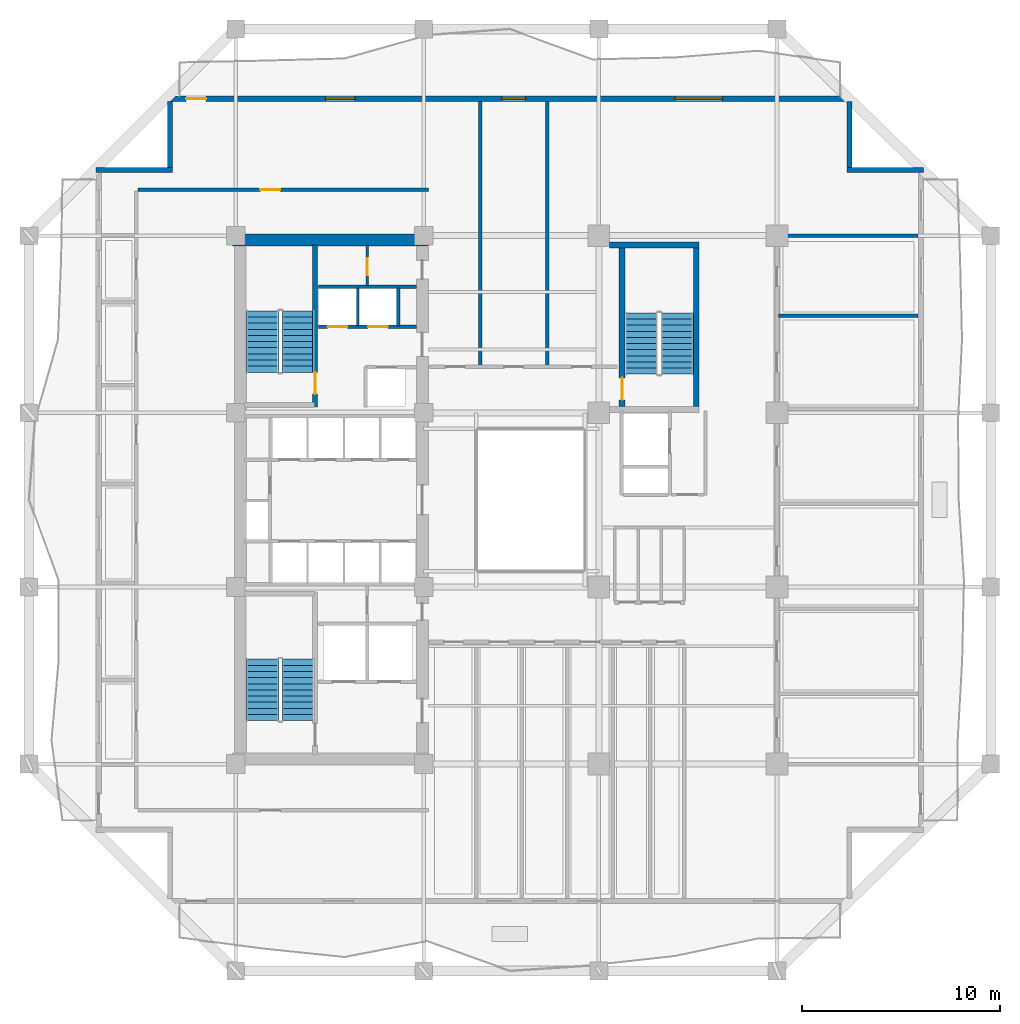
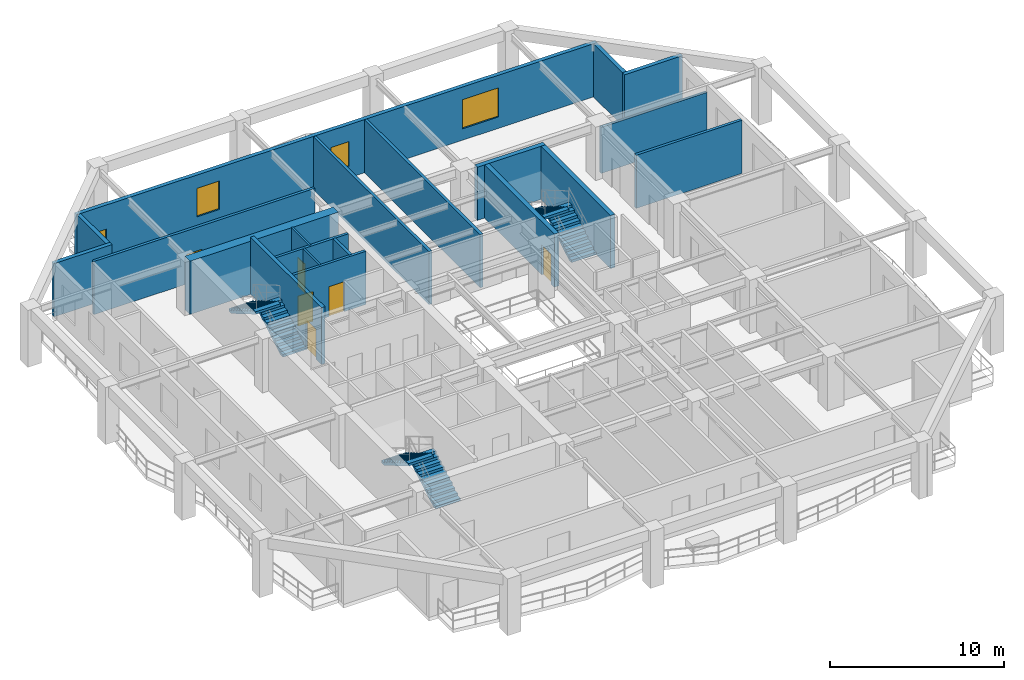
# One storey, part 6 of 11: 20 walls, 7 doors, 6 stair flights, 3 windows, 10 openings, 3 elements without a shape of their own.
"""IFC4 building model written with IfcOpenShell, lengths in metres."""

from ifc_helpers import new_model, si_unit, direction, frame, frame_2d, origin, place, context, subcontext, project, spatial, polyline, rectangle, outline, extrude, material, layer, layer_set, type_object, element, fill, aggregate, save


model = new_model("IFC4")

# Units and contexts
model_context = context("Model", 3, precision=1e-05, world=origin(), true_north=direction((0.0, 1.0)))
body_context = subcontext(model_context, "Body", "Model", "MODEL_VIEW")
ifc_project = project(units=[si_unit("LENGTHUNIT", "METRE"), si_unit("AREAUNIT", "SQUARE_METRE"), si_unit("VOLUMEUNIT", "CUBIC_METRE"), si_unit("PLANEANGLEUNIT", "RADIAN"), si_unit("MASSUNIT", "GRAM", prefix="KILO")], contexts=[model_context])

# Site, building, storey
site_placement = place(None, origin())
site = spatial("IfcSite", under=ifc_project, at=site_placement, CompositionType="ELEMENT")
building_placement = place(site_placement, origin())
building = spatial("IfcBuilding", under=site, at=building_placement, Name="Kundavana Baori Tower", CompositionType="ELEMENT")
storey_placement = place(building_placement, frame((0.0, 0.0, 82.0)))
storey = spatial("IfcBuildingStorey", under=building, at=storey_placement, Name="L19", CompositionType="ELEMENT", Elevation=82.0)

# Wall, opening, door
ifc_material_1 = material(Name="Concrete C50/60", Category="concrete")
ifc_layer_1 = layer(ifc_material_1, 0.39990234375, Name="WL-CORE-400")
ifc_layer_set_1 = layer_set([ifc_layer_1], Name="Concrete C50/60")
wall_type_1 = type_object("IfcWallType", Name="WL-CORE-400", PredefinedType="SHEAR", material=ifc_layer_set_1)
wall_1_placement = place(storey_placement, frame((19.4599609375, 33.300048828125, 0.0), z_axis=(0.0, 0.0, 1.0), x_axis=(0.0, 1.0, 0.0)))
wall_1 = element("IfcWall", 1, at=wall_1_placement, inside=storey, type_object=wall_type_1, Name="WL-L19-ST2-E", PredefinedType="SHEAR", context=body_context, shape_type="SweptSolid", body=[
    extrude(rectangle(XDim=8.179931640625, YDim=0.239990234375, at=frame_2d((4.08984375, 0.0))), origin(), (0.0, 0.0, 1.0), 4.0),
])
opening_1_placement = place(wall_1_placement, frame((0.64990234375, 0.0, 0.0)))
opening_1 = element("IfcOpeningElement", 2, at=opening_1_placement, cuts=wall_1, Name="Opening FD-110", PredefinedType="OPENING", context=body_context, shape_type="SweptSolid", body=[
    extrude(rectangle(XDim=1.10009765625, YDim=2.10009765625, at=frame_2d((0.550048828125, 1.050048828125))), frame((0.0, 0.1298828125, 0.0), z_axis=(0.0, -1.0, 0.0), x_axis=(1.0, 0.0, 0.0)), (0.0, 0.0, 1.0), 0.260009765625),
])
ifc_material_2 = material(Name="Galvanised Steel Fire-Rated Door Leaf", Category="steel")
door_type_1 = type_object("IfcDoorType", Name="DR-FD120-1100", OperationType="NOTDEFINED", PredefinedType="DOOR", material=ifc_material_2)
door_1_placement = place(opening_1_placement, origin())
door_1 = element("IfcDoor", 3, at=door_1_placement, inside=storey, type_object=door_type_1, Name="DR-L19-ST2", OperationType="SINGLE_SWING_RIGHT", OverallHeight=2.10009765625, OverallWidth=1.10009765625, PredefinedType="DOOR", context=body_context, shape_type="SweptSolid", body=[
    extrude(rectangle(XDim=1.10009765625, YDim=2.10009765625, at=frame_2d((0.550048828125, 1.050048828125))), frame((0.0, 0.02490234375, 0.0), z_axis=(0.0, -1.0, 0.0), x_axis=(1.0, 0.0, 0.0)), (0.0, 0.0, 1.0), 0.050048828125),
])
fill(opening_1, door_1)

# Walls
ifc_material_3 = material(Name="Concrete C60/75", Category="concrete")
ifc_layer_2 = layer(ifc_material_3, 0.60009765625, Name="WL-CORE-600")
ifc_layer_set_2 = layer_set([ifc_layer_2], Name="Concrete C60/75")
wall_type_2 = type_object("IfcWallType", Name="WL-CORE-600", PredefinedType="SHEAR", material=ifc_layer_set_2)
wall_2_placement = place(storey_placement, frame((15.300048828125, 41.739990234375, 0.0), z_axis=(0.0, 0.0, 1.0), x_axis=(1.0, 0.0, 0.0)))
element("IfcWall", 4, at=wall_2_placement, inside=storey, type_object=wall_type_2, Name="L19 Offset Core North Shear Wall", PredefinedType="SHEAR", context=body_context, shape_type="SweptSolid", body=[
    extrude(rectangle(XDim=9.8798828125, YDim=0.60009765625, at=frame_2d((4.93994140625, 0.0))), origin(), (0.0, 0.0, 1.0), 3.739990234375),
])
ifc_material_4 = material(Name="Kiln-Fired Terracotta Brick-Slip Masonry on Concrete C40/50", Category="masonry")
ifc_layer_3 = layer(ifc_material_4, 0.260009765625, Name="WL-EXT-BRK-260")
ifc_layer_set_3 = layer_set([ifc_layer_3], Name="Kiln-Fired Terracotta Brick-Slip Masonry on Concrete C40/50")
wall_type_3 = type_object("IfcWallType", Name="WL-EXT-BRK-260", PredefinedType="SOLIDWALL", material=ifc_layer_set_3)
wall_3_placement = place(storey_placement, frame((50.199951171875, 45.27001953125, 0.0), z_axis=(0.0, 0.0, 1.0), x_axis=(-1.0, 0.0, 0.0)))
element("IfcWall", 5, at=wall_3_placement, inside=storey, type_object=wall_type_3, Name="L19 Exterior Insulated Facade Wall 05", PredefinedType="SOLIDWALL", context=body_context, shape_type="SweptSolid", body=[
    extrude(rectangle(XDim=3.85986328125, YDim=0.260009765625, at=frame_2d((1.929931640625, 0.0))), origin(), (0.0, 0.0, 1.0), 3.739990234375),
])
wall_4_placement = place(storey_placement, frame((46.469970703125, 45.39990234375, 0.0), z_axis=(0.0, 0.0, 1.0), x_axis=(0.0, 1.0, 0.0)))
element("IfcWall", 6, at=wall_4_placement, inside=storey, type_object=wall_type_3, Name="L19 Exterior Insulated Facade Wall 06", PredefinedType="SOLIDWALL", context=body_context, shape_type="SweptSolid", body=[
    extrude(rectangle(XDim=3.340087890625, YDim=0.260009765625, at=frame_2d((1.669921875, 0.0))), origin(), (0.0, 0.0, 1.0), 3.739990234375),
])

# Wall, openings, door, windows
wall_5_placement = place(storey_placement, frame((46.60009765625, 48.8701171875, 0.0), z_axis=(0.0, 0.0, 1.0), x_axis=(-1.0, 0.0, 0.0)))
wall_5 = element("IfcWall", 7, at=wall_5_placement, inside=storey, type_object=wall_type_3, Name="L19 Exterior Insulated Facade Wall 07", PredefinedType="SOLIDWALL", context=body_context, shape_type="SweptSolid", body=[
    extrude(rectangle(XDim=34.60009765625, YDim=0.260009765625, at=frame_2d((17.300048828125, 0.0))), origin(), (0.0, 0.0, 1.0), 3.739990234375),
])
opening_2_placement = place(wall_5_placement, frame((32.64990234375, 0.0, 0.0)))
opening_2 = element("IfcOpeningElement", 8, at=opening_2_placement, cuts=wall_5, Name="Opening BD-1", PredefinedType="OPENING", context=body_context, shape_type="SweptSolid", body=[
    extrude(rectangle(XDim=1.0, YDim=2.050048828125, at=frame_2d((0.5, 1.02490234375))), frame((0.0, 0.14013671875, 0.0), z_axis=(0.0, -1.0, 0.0), x_axis=(1.0, 0.0, 0.0)), (0.0, 0.0, 1.0), 0.280029296875),
])
opening_3_placement = place(wall_5_placement, frame((25.1201171875, 0.0, 0.800048828125)))
opening_3 = element("IfcOpeningElement", 9, at=opening_3_placement, cuts=wall_5, Name="Opening W-02", PredefinedType="OPENING", context=body_context, shape_type="SweptSolid", body=[
    extrude(rectangle(XDim=1.5, YDim=2.0, at=frame_2d((0.75, 1.0))), frame((0.0, 0.14013671875, 0.0), z_axis=(0.0, -1.0, 0.0), x_axis=(1.0, 0.0, 0.0)), (0.0, 0.0, 1.0), 0.280029296875),
])
opening_4_placement = place(wall_5_placement, frame((16.5, 0.0, 0.800048828125)))
opening_4 = element("IfcOpeningElement", 10, at=opening_4_placement, cuts=wall_5, Name="Opening W-03", PredefinedType="OPENING", context=body_context, shape_type="SweptSolid", body=[
    extrude(rectangle(XDim=1.199951171875, YDim=1.75, at=frame_2d((0.60009765625, 0.875))), frame((0.0, 0.14013671875, 0.0), z_axis=(0.0, -1.0, 0.0), x_axis=(1.0, 0.0, 0.0)), (0.0, 0.0, 1.0), 0.280029296875),
])
opening_5_placement = place(wall_5_placement, frame((6.554931640625, 0.0, 0.800048828125)))
opening_5 = element("IfcOpeningElement", 11, at=opening_5_placement, cuts=wall_5, Name="Opening W-04", PredefinedType="OPENING", context=body_context, shape_type="SweptSolid", body=[
    extrude(rectangle(XDim=2.39990234375, YDim=2.050048828125, at=frame_2d((1.199951171875, 1.02490234375))), frame((0.0, 0.14013671875, 0.0), z_axis=(0.0, -1.0, 0.0), x_axis=(1.0, 0.0, 0.0)), (0.0, 0.0, 1.0), 0.280029296875),
])
ifc_material_5 = material(Name="Architectural Patinated Bronze Metalwork")
door_type_2 = type_object("IfcDoorType", Name="DR-EXT-LOG-1000", OperationType="NOTDEFINED", PredefinedType="DOOR", material=ifc_material_5)
door_2_placement = place(opening_2_placement, frame((1.0, 0.0, 0.0), z_axis=(0.0, 0.0, 1.0), x_axis=(-1.0, 0.0, 0.0)))
door_2 = element("IfcDoor", 12, at=door_2_placement, inside=storey, type_object=door_type_2, Name="L19 Loggia Balcony Access Door N", OperationType="SINGLE_SWING_LEFT", OverallHeight=2.050048828125, OverallWidth=1.0, PredefinedType="DOOR", context=body_context, shape_type="SweptSolid", body=[
    extrude(rectangle(XDim=1.0, YDim=2.050048828125, at=frame_2d((0.5, 1.02490234375))), frame((0.0, 0.02490234375, 0.0), z_axis=(0.0, -1.0, 0.0), x_axis=(1.0, 0.0, 0.0)), (0.0, 0.0, 1.0), 0.050048828125),
])
fill(opening_2, door_2)
ifc_material_6 = material(Name="Double-Glazed Solar-Control Low-E Insulated Glass", Category="glass")
window_type_1 = type_object("IfcWindowType", Name="WIN-LOG-1200x1750", PartitioningType="SINGLE_PANEL", PredefinedType="WINDOW", material=ifc_material_6)
window_1_placement = place(opening_4_placement, origin())
window_1 = element("IfcWindow", 13, at=window_1_placement, inside=storey, type_object=window_type_1, Name="L19 Recessed Loggia Window N-2", OverallHeight=1.75, OverallWidth=1.199951171875, PartitioningType="SINGLE_PANEL", PredefinedType="WINDOW", context=body_context, shape_type="SweptSolid", body=[
    extrude(rectangle(XDim=1.199951171875, YDim=1.75, at=frame_2d((0.60009765625, 0.875))), frame((0.0, 0.030029296875, 0.0), z_axis=(0.0, -1.0, 0.0), x_axis=(1.0, 0.0, 0.0)), (0.0, 0.0, 1.0), 0.06005859375),
])
fill(opening_4, window_1)
ifc_material_7 = material(Name="Double-Glazed Solar-Control Low-E Insulated Glass", Category="glass")
window_type_2 = type_object("IfcWindowType", Name="WIN-LOG-1500x2000", PartitioningType="SINGLE_PANEL", PredefinedType="WINDOW", material=ifc_material_7)
window_2_placement = place(opening_3_placement, origin())
window_2 = element("IfcWindow", 14, at=window_2_placement, inside=storey, type_object=window_type_2, Name="L19 Recessed Loggia Window N-1", OverallHeight=2.0, OverallWidth=1.5, PartitioningType="SINGLE_PANEL", PredefinedType="WINDOW", context=body_context, shape_type="SweptSolid", body=[
    extrude(rectangle(XDim=1.5, YDim=2.0, at=frame_2d((0.75, 1.0))), frame((0.0, 0.030029296875, 0.0), z_axis=(0.0, -1.0, 0.0), x_axis=(1.0, 0.0, 0.0)), (0.0, 0.0, 1.0), 0.06005859375),
])
fill(opening_3, window_2)
ifc_material_8 = material(Name="Double-Glazed Solar-Control Low-E Insulated Glass", Category="glass")
window_type_3 = type_object("IfcWindowType", Name="WIN-LOG-2400x2050", PartitioningType="SINGLE_PANEL", PredefinedType="WINDOW", material=ifc_material_8)
window_3_placement = place(opening_5_placement, origin())
window_3 = element("IfcWindow", 15, at=window_3_placement, inside=storey, type_object=window_type_3, Name="L19 Recessed Loggia Window N-3", OverallHeight=2.050048828125, OverallWidth=2.39990234375, PartitioningType="SINGLE_PANEL", PredefinedType="WINDOW", context=body_context, shape_type="SweptSolid", body=[
    extrude(rectangle(XDim=2.39990234375, YDim=2.050048828125, at=frame_2d((1.199951171875, 1.02490234375))), frame((0.0, 0.030029296875, 0.0), z_axis=(0.0, -1.0, 0.0), x_axis=(1.0, 0.0, 0.0)), (0.0, 0.0, 1.0), 0.06005859375),
])
fill(opening_5, window_3)

# Walls
wall_6_placement = place(storey_placement, frame((12.1298828125, 48.739990234375, 0.0), z_axis=(0.0, 0.0, 1.0), x_axis=(0.0, -1.0, 0.0)))
element("IfcWall", 16, at=wall_6_placement, inside=storey, type_object=wall_type_3, Name="L19 Exterior Insulated Facade Wall 08", PredefinedType="SOLIDWALL", context=body_context, shape_type="SweptSolid", body=[
    extrude(rectangle(XDim=3.340087890625, YDim=0.260009765625, at=frame_2d((1.669921875, 0.0))), origin(), (0.0, 0.0, 1.0), 3.739990234375),
])
wall_7_placement = place(storey_placement, frame((12.260009765625, 45.27001953125, 0.0), z_axis=(0.0, 0.0, 1.0), x_axis=(-1.0, 0.0, 0.0)))
element("IfcWall", 17, at=wall_7_placement, inside=storey, type_object=wall_type_3, Name="L19 Exterior Insulated Facade Wall 09", PredefinedType="SOLIDWALL", context=body_context, shape_type="SweptSolid", body=[
    extrude(rectangle(XDim=3.860107421875, YDim=0.260009765625, at=frame_2d((1.93017578125, 0.0))), origin(), (0.0, 0.0, 1.0), 3.739990234375),
])
ifc_material_9 = material(Name="Acoustic Gypsum Plasterboard on Galvanised Steel Studs", Category="steel")
ifc_layer_4 = layer(ifc_material_9, 0.1201171875, Name="WL-PART-120")
ifc_layer_set_4 = layer_set([ifc_layer_4], Name="Acoustic Gypsum Plasterboard on Galvanised Steel Studs")
wall_type_4 = type_object("IfcWallType", Name="WL-PART-120", PredefinedType="PARTITIONING", material=ifc_layer_set_4)
wall_8_placement = place(storey_placement, frame((21.6201171875, 37.39990234375, 0.0), z_axis=(0.0, 0.0, 1.0), x_axis=(0.0, 1.0, 0.0)))
element("IfcWall", 18, at=wall_8_placement, inside=storey, type_object=wall_type_4, Name="WL-L19-HR-DIV1", PredefinedType="PARTITIONING", context=body_context, shape_type="SweptSolid", body=[
    extrude(rectangle(XDim=1.900146484375, YDim=0.1201171875, at=frame_2d((0.9501953125, 0.0))), origin(), (0.0, 0.0, 1.0), 3.739990234375),
])

# Wall, opening, door
wall_9_placement = place(storey_placement, frame((22.10009765625, 39.39990234375, 0.0), z_axis=(0.0, 0.0, 1.0), x_axis=(0.0, 1.0, 0.0)))
wall_9 = element("IfcWall", 19, at=wall_9_placement, inside=storey, type_object=wall_type_4, Name="WL-L19-CSRV-D1", PredefinedType="PARTITIONING", context=body_context, shape_type="SweptSolid", body=[
    extrude(rectangle(XDim=2.080078125, YDim=0.1201171875, at=frame_2d((1.0400390625, 0.0))), origin(), (0.0, 0.0, 1.0), 3.739990234375),
])
opening_6_placement = place(wall_9_placement, frame((0.550048828125, 0.0, 0.0)))
opening_6 = element("IfcOpeningElement", 20, at=opening_6_placement, cuts=wall_9, Name="Opening FD-085", PredefinedType="OPENING", context=body_context, shape_type="SweptSolid", body=[
    extrude(rectangle(XDim=0.85009765625, YDim=2.06005859375, at=frame_2d((0.425048828125, 1.030029296875))), frame((0.0, 0.070068359375, 0.0), z_axis=(0.0, -1.0, 0.0), x_axis=(1.0, 0.0, 0.0)), (0.0, 0.0, 1.0), 0.14013671875),
])
ifc_material_10 = material(Name="Galvanised Steel Fire-Rated Door Leaf", Category="steel")
door_type_3 = type_object("IfcDoorType", Name="DR-FD60-850", OperationType="NOTDEFINED", PredefinedType="DOOR", material=ifc_material_10)
door_3_placement = place(opening_6_placement, origin())
door_3 = element("IfcDoor", 21, at=door_3_placement, inside=storey, type_object=door_type_3, Name="DR-L19-CSRV1", OperationType="SINGLE_SWING_LEFT", OverallHeight=2.06005859375, OverallWidth=0.85009765625, PredefinedType="DOOR", context=body_context, shape_type="SweptSolid", body=[
    extrude(rectangle(XDim=0.85009765625, YDim=2.06005859375, at=frame_2d((0.425048828125, 1.030029296875))), frame((0.0, 0.02490234375, 0.0), z_axis=(0.0, -1.0, 0.0), x_axis=(1.0, 0.0, 0.0)), (0.0, 0.0, 1.0), 0.050048828125),
])
fill(opening_6, door_3)

# Wall
ifc_material_11 = material(Name="Autoclaved Aerated Concrete Blockwork Masonry", Category="masonry")
ifc_layer_5 = layer(ifc_material_11, 0.18505859375, Name="WL-PART-180")
ifc_layer_set_5 = layer_set([ifc_layer_5], Name="Autoclaved Aerated Concrete Blockwork Masonry")
wall_type_5 = type_object("IfcWallType", Name="WL-PART-180", PredefinedType="SOLIDWALL", material=ifc_layer_set_5)
wall_10_placement = place(storey_placement, frame((42.8798828125, 41.949951171875, 0.0), z_axis=(0.0, 0.0, 1.0), x_axis=(1.0, 0.0, 0.0)))
element("IfcWall", 22, at=wall_10_placement, inside=storey, type_object=wall_type_5, Name="WL-L19-OFEN", PredefinedType="SOLIDWALL", context=body_context, shape_type="SweptSolid", body=[
    extrude(rectangle(XDim=7.0400390625, YDim=0.18505859375, at=frame_2d((3.52001953125, 0.0))), origin(), (0.0, 0.0, 1.0), 3.239990234375),
])

# Wall, opening, door
wall_11_placement = place(storey_placement, frame((10.5, 44.280029296875, 0.0), z_axis=(0.0, 0.0, 1.0), x_axis=(1.0, 0.0, 0.0)))
wall_11 = element("IfcWall", 23, at=wall_11_placement, inside=storey, type_object=wall_type_5, Name="WL-L19-ONC", PredefinedType="SOLIDWALL", context=body_context, shape_type="SweptSolid", body=[
    extrude(rectangle(XDim=14.699951171875, YDim=0.18505859375, at=frame_2d((7.35009765625, 0.0))), origin(), (0.0, 0.0, 1.0), 3.739990234375),
])
opening_7_placement = place(wall_11_placement, frame((6.199951171875, 0.0, 0.0)))
opening_7 = element("IfcOpeningElement", 24, at=opening_7_placement, cuts=wall_11, Name="Opening ID-100", PredefinedType="OPENING", context=body_context, shape_type="SweptSolid", body=[
    extrude(rectangle(XDim=1.0, YDim=2.080078125, at=frame_2d((0.5, 1.0400390625))), frame((0.0, 0.1025390625, 0.0), z_axis=(0.0, -1.0, 0.0), x_axis=(1.0, 0.0, 0.0)), (0.0, 0.0, 1.0), 0.205078125),
])
ifc_material_12 = material(Name="Engineered Teak Solid-Core Timber Veneer", Category="wood")
door_type_4 = type_object("IfcDoorType", Name="DR-INT-1000", OperationType="NOTDEFINED", PredefinedType="DOOR", material=ifc_material_12)
door_4_placement = place(opening_7_placement, origin())
door_4 = element("IfcDoor", 25, at=door_4_placement, inside=storey, type_object=door_type_4, Name="DR-L19-ONWC", OperationType="SINGLE_SWING_RIGHT", OverallHeight=2.080078125, OverallWidth=1.0, PredefinedType="DOOR", context=body_context, shape_type="SweptSolid", body=[
    extrude(rectangle(XDim=1.0, YDim=2.080078125, at=frame_2d((0.5, 1.0400390625))), frame((0.0, 0.02490234375, 0.0), z_axis=(0.0, -1.0, 0.0), x_axis=(1.0, 0.0, 0.0)), (0.0, 0.0, 1.0), 0.050048828125),
])
fill(opening_7, door_4)

# Walls
wall_12_placement = place(storey_placement, frame((42.8798828125, 37.89990234375, 0.0), z_axis=(0.0, 0.0, 1.0), x_axis=(1.0, 0.0, 0.0)))
element("IfcWall", 26, at=wall_12_placement, inside=storey, type_object=wall_type_5, Name="WL-L19-ED5", PredefinedType="SOLIDWALL", context=body_context, shape_type="SweptSolid", body=[
    extrude(rectangle(XDim=7.0400390625, YDim=0.18505859375, at=frame_2d((3.52001953125, 0.0))), origin(), (0.0, 0.0, 1.0), 3.739990234375),
])
for number, where, z_axis, x_axis, name in (
    (27, (27.800048828125, 35.39990234375, 0.0), (0.0, 0.0, 1.0), (0.0, 1.0, 0.0), "WL-L19-ND1"),
    (28, (31.199951171875, 35.39990234375, 0.0), (0.0, 0.0, 1.0), (0.0, 1.0, 0.0), "WL-L19-ND2"),
):
    element("IfcWall", number, at=place(storey_placement, frame(where, z_axis=z_axis, x_axis=x_axis)), inside=storey, type_object=wall_type_5, Name=name, PredefinedType="SOLIDWALL", context=body_context, shape_type="SweptSolid", body=[
        extrude(rectangle(XDim=13.320068359375, YDim=0.18505859375, at=frame_2d((6.66015625, 0.0))), origin(), (0.0, 0.0, 1.0), 3.739990234375),
    ])

# Wall, openings, doors
ifc_material_13 = material(Name="Autoclaved Aerated Concrete Blockwork Masonry", Category="masonry")
ifc_layer_6 = layer(ifc_material_13, 0.179931640625, Name="WL-SHAFT-180")
ifc_layer_set_6 = layer_set([ifc_layer_6], Name="Autoclaved Aerated Concrete Blockwork Masonry")
wall_type_6 = type_object("IfcWallType", Name="WL-SHAFT-180", PredefinedType="SOLIDWALL", material=ifc_layer_set_6)
wall_13_placement = place(storey_placement, frame((19.639892578125, 37.340087890625, 0.0), z_axis=(0.0, 0.0, 1.0), x_axis=(1.0, 0.0, 0.0)))
wall_13 = element("IfcWall", 29, at=wall_13_placement, inside=storey, type_object=wall_type_6, Name="WL-L19-HRLOB-N", PredefinedType="SOLIDWALL", context=body_context, shape_type="SweptSolid", body=[
    extrude(rectangle(XDim=4.940185546875, YDim=0.179931640625, at=frame_2d((2.47021484375, 0.0))), origin(), (0.0, 0.0, 1.0), 3.739990234375),
])
opening_8_placement = place(wall_13_placement, frame((0.449951171875, 0.0, 0.0)))
opening_8 = element("IfcOpeningElement", 30, at=opening_8_placement, cuts=wall_13, Name="Opening LD-100", PredefinedType="OPENING", context=body_context, shape_type="SweptSolid", body=[
    extrude(rectangle(XDim=1.0, YDim=2.10009765625, at=frame_2d((0.5, 1.050048828125))), frame((0.0, 0.10009765625, 0.0), z_axis=(0.0, -1.0, 0.0), x_axis=(1.0, 0.0, 0.0)), (0.0, 0.0, 1.0), 0.199951171875),
])
opening_9_placement = place(wall_13_placement, frame((2.5, 0.0, 0.0)))
opening_9 = element("IfcOpeningElement", 31, at=opening_9_placement, cuts=wall_13, Name="Opening LD-100", PredefinedType="OPENING", context=body_context, shape_type="SweptSolid", body=[
    extrude(rectangle(XDim=1.0, YDim=2.10009765625, at=frame_2d((0.5, 1.050048828125))), frame((0.0, 0.10009765625, 0.0), z_axis=(0.0, -1.0, 0.0), x_axis=(1.0, 0.0, 0.0)), (0.0, 0.0, 1.0), 0.199951171875),
])
ifc_material_14 = material(Name="Galvanised Steel Fire-Rated Door Leaf", Category="steel")
door_type_5 = type_object("IfcDoorType", Name="DR-SLIDE-LD1000", OperationType="NOTDEFINED", PredefinedType="DOOR", material=ifc_material_14)
door_5_placement = place(opening_8_placement, frame((1.0, 0.0, 0.0), z_axis=(0.0, 0.0, 1.0), x_axis=(-1.0, 0.0, 0.0)))
door_5 = element("IfcDoor", 32, at=door_5_placement, inside=storey, type_object=door_type_5, Name="DR-L19-LD-LP09", OperationType="DOUBLE_DOOR_SLIDING", OverallHeight=2.10009765625, OverallWidth=1.0, PredefinedType="DOOR", context=body_context, shape_type="SweptSolid", body=[
    extrude(rectangle(XDim=1.0, YDim=2.10009765625, at=frame_2d((0.5, 1.050048828125))), frame((0.0, 0.02490234375, 0.0), z_axis=(0.0, -1.0, 0.0), x_axis=(1.0, 0.0, 0.0)), (0.0, 0.0, 1.0), 0.050048828125),
])
fill(opening_8, door_5)
door_6_placement = place(opening_9_placement, frame((1.0, 0.0, 0.0), z_axis=(0.0, 0.0, 1.0), x_axis=(-1.0, 0.0, 0.0)))
door_6 = element("IfcDoor", 33, at=door_6_placement, inside=storey, type_object=door_type_5, Name="DR-L19-LD-LP10", OperationType="DOUBLE_DOOR_SLIDING", OverallHeight=2.10009765625, OverallWidth=1.0, PredefinedType="DOOR", context=body_context, shape_type="SweptSolid", body=[
    extrude(rectangle(XDim=1.0, YDim=2.10009765625, at=frame_2d((0.5, 1.050048828125))), frame((0.0, 0.02490234375, 0.0), z_axis=(0.0, -1.0, 0.0), x_axis=(1.0, 0.0, 0.0)), (0.0, 0.0, 1.0), 0.050048828125),
])
fill(opening_9, door_6)

# Walls
wall_14_placement = place(storey_placement, frame((19.639892578125, 39.360107421875, 0.0), z_axis=(0.0, 0.0, 1.0), x_axis=(1.0, 0.0, 0.0)))
element("IfcWall", 34, at=wall_14_placement, inside=storey, type_object=wall_type_6, Name="WL-L19-HRLOB-TOP", PredefinedType="SOLIDWALL", context=body_context, shape_type="SweptSolid", body=[
    extrude(rectangle(XDim=4.940185546875, YDim=0.179931640625, at=frame_2d((2.47021484375, 0.0))), origin(), (0.0, 0.0, 1.0), 3.739990234375),
])
wall_15_placement = place(storey_placement, frame((23.659912109375, 37.39990234375, 0.0), z_axis=(0.0, 0.0, 1.0), x_axis=(0.0, 1.0, 0.0)))
element("IfcWall", 35, at=wall_15_placement, inside=storey, type_object=wall_type_6, Name="WL-L19-HR-DIV2", PredefinedType="SOLIDWALL", context=body_context, shape_type="SweptSolid", body=[
    extrude(rectangle(XDim=1.900146484375, YDim=0.179931640625, at=frame_2d((0.9501953125, 0.0))), origin(), (0.0, 0.0, 1.0), 3.739990234375),
])
ifc_material_15 = material(Name="Concrete C50/60", Category="concrete")
ifc_layer_7 = layer(ifc_material_15, 0.300048828125, Name="WL-ST3-300")
ifc_layer_set_7 = layer_set([ifc_layer_7], Name="Concrete C50/60")
wall_type_7 = type_object("IfcWallType", Name="WL-ST3-300", PredefinedType="SHEAR", material=ifc_layer_set_7)
wall_16_placement = place(storey_placement, frame((34.35009765625, 41.489990234375, 0.0), z_axis=(0.0, 0.0, 1.0), x_axis=(1.0, 0.0, 0.0)))
element("IfcWall", 36, at=wall_16_placement, inside=storey, type_object=wall_type_7, Name="L19 Stair ST3 North Shear Wall", PredefinedType="SHEAR", context=body_context, shape_type="SweptSolid", body=[
    extrude(rectangle(XDim=4.52001953125, YDim=0.300048828125, at=frame_2d((2.260009765625, 0.0))), origin(), (0.0, 0.0, 1.0), 3.739990234375),
])

# Wall, opening, door
wall_17_placement = place(storey_placement, frame((34.97998046875, 33.31005859375, 0.0), z_axis=(0.0, 0.0, 1.0), x_axis=(0.0, 1.0, 0.0)))
wall_17 = element("IfcWall", 37, at=wall_17_placement, inside=storey, type_object=wall_type_7, Name="L19 Stair ST3 West Shear Wall", PredefinedType="SHEAR", context=body_context, shape_type="SweptSolid", body=[
    extrude(rectangle(XDim=8.030029296875, YDim=0.300048828125, at=frame_2d((4.01513671875, 0.0))), origin(), (0.0, 0.0, 1.0), 3.739990234375),
])
opening_10_placement = place(wall_17_placement, frame((0.35009765625, 0.0, 0.0)))
opening_10 = element("IfcOpeningElement", 38, at=opening_10_placement, cuts=wall_17, Name="Opening FD-110", PredefinedType="OPENING", context=body_context, shape_type="SweptSolid", body=[
    extrude(rectangle(XDim=1.10009765625, YDim=2.10009765625, at=frame_2d((0.550048828125, 1.050048828125))), frame((0.0, 0.16015625, 0.0), z_axis=(0.0, -1.0, 0.0), x_axis=(1.0, 0.0, 0.0)), (0.0, 0.0, 1.0), 0.320068359375),
])
door_7_placement = place(opening_10_placement, origin())
door_7 = element("IfcDoor", 39, at=door_7_placement, inside=storey, type_object=door_type_1, Name="DR-L19-ST3-W", OperationType="SINGLE_SWING_LEFT", OverallHeight=2.10009765625, OverallWidth=1.10009765625, PredefinedType="DOOR", context=body_context, shape_type="SweptSolid", body=[
    extrude(rectangle(XDim=1.10009765625, YDim=2.10009765625, at=frame_2d((0.550048828125, 1.050048828125))), frame((0.0, 0.02490234375, 0.0), z_axis=(0.0, -1.0, 0.0), x_axis=(1.0, 0.0, 0.0)), (0.0, 0.0, 1.0), 0.050048828125),
])
fill(opening_10, door_7)

# Wall
wall_18_placement = place(storey_placement, frame((38.719970703125, 33.31005859375, 0.0), z_axis=(0.0, 0.0, 1.0), x_axis=(0.0, 1.0, 0.0)))
element("IfcWall", 40, at=wall_18_placement, inside=storey, type_object=wall_type_7, Name="L19 Stair ST3 East Shear Wall", PredefinedType="SHEAR", context=body_context, shape_type="SweptSolid", body=[
    extrude(rectangle(XDim=8.030029296875, YDim=0.300048828125, at=frame_2d((4.01513671875, 0.0))), origin(), (0.0, 0.0, 1.0), 3.739990234375),
])

# Stair, stair flights
ifc_material_16 = material(Name="Concrete C40/50", Category="concrete")
stair_type = type_object("IfcStairType", Name="STR-DOG-1650", PredefinedType="HALF_TURN_STAIR", material=ifc_material_16)
stair_1_placement = place(storey_placement, origin())
stair_1 = element("IfcStair", 41, at=stair_1_placement, inside=storey, type_object=stair_type, Name="L19 Protected Exit Stair ST1", PredefinedType="HALF_TURN_STAIR")
ifc_material_17 = material(Name="Concrete C40/50", Category="concrete")
stair_flight_type = type_object("IfcStairFlightType", Name="SFL-RC-1650", PredefinedType="STRAIGHT", material=ifc_material_17)
stair_flight_1_placement = place(storey_placement, frame((18.614990234375, 17.449951171875, 0.0), z_axis=(0.0, 0.0, 1.0), x_axis=(0.0, 1.0, 0.0)))
stair_flight_1 = element("IfcStairFlight", 42, at=stair_flight_1_placement, type_object=stair_flight_type, Name="ST1 flight 1", NumberOfRisers=11, NumberOfTreads=10, PredefinedType="STRAIGHT", RiserHeight=0.181818182, TreadLength=0.31, context=body_context, shape_type="SweptSolid", body=[
    extrude(outline(polyline([(0.0, 0.0), (0.0, 0.181884765625), (0.31005859375, 0.181884765625), (0.31005859375, 0.363525390625), (0.6201171875, 0.363525390625), (0.6201171875, 0.54541015625), (0.929931640625, 0.54541015625), (0.929931640625, 0.727294921875), (1.239990234375, 0.727294921875), (1.239990234375, 0.9091796875), (1.550048828125, 0.9091796875), (1.550048828125, 1.0908203125), (1.860107421875, 1.0908203125), (1.860107421875, 1.272705078125), (2.169921875, 1.272705078125), (2.169921875, 1.45458984375), (2.47998046875, 1.45458984375), (2.47998046875, 1.636474609375), (2.7900390625, 1.636474609375), (2.7900390625, 1.818115234375), (3.10009765625, 1.818115234375), (3.10009765625, 2.0), (3.10009765625, 1.644287109375), (0.29638671875, 0.0), (0.0, 0.0)])), frame((0.0, 0.824951171875, 0.0), z_axis=(0.0, -1.0, 0.0), x_axis=(1.0, 0.0, 0.0)), (0.0, 0.0, 1.0), 1.64990234375),
])
stair_flight_2_placement = place(storey_placement, frame((16.804931640625, 20.550048828125, 2.0), z_axis=(0.0, 0.0, 1.0), x_axis=(0.0, -1.0, 0.0)))
stair_flight_2 = element("IfcStairFlight", 43, at=stair_flight_2_placement, type_object=stair_flight_type, Name="ST1 flight 2", NumberOfRisers=11, NumberOfTreads=10, PredefinedType="STRAIGHT", RiserHeight=0.181818182, TreadLength=0.31, context=body_context, shape_type="SweptSolid", body=[
    extrude(outline(polyline([(0.0, 0.0), (0.0, 0.181884765625), (0.31005859375, 0.181884765625), (0.31005859375, 0.363525390625), (0.6201171875, 0.363525390625), (0.6201171875, 0.54541015625), (0.929931640625, 0.54541015625), (0.929931640625, 0.727294921875), (1.239990234375, 0.727294921875), (1.239990234375, 0.9091796875), (1.550048828125, 0.9091796875), (1.550048828125, 1.0908203125), (1.860107421875, 1.0908203125), (1.860107421875, 1.272705078125), (2.169921875, 1.272705078125), (2.169921875, 1.45458984375), (2.47998046875, 1.45458984375), (2.47998046875, 1.636474609375), (2.7900390625, 1.636474609375), (2.7900390625, 1.818115234375), (3.10009765625, 1.818115234375), (3.10009765625, 2.0), (3.10009765625, 1.644287109375), (0.29638671875, 0.0), (0.0, 0.0)])), frame((0.0, 0.824951171875, 0.0), z_axis=(0.0, -1.0, 0.0), x_axis=(1.0, 0.0, 0.0)), (0.0, 0.0, 1.0), 1.64990234375),
])
aggregate(stair_1, [stair_flight_1, stair_flight_2])

stair_2_placement = place(storey_placement, origin())
stair_2 = element("IfcStair", 44, at=stair_2_placement, inside=storey, type_object=stair_type, Name="L19 Protected Exit Stair ST2", PredefinedType="HALF_TURN_STAIR")
stair_flight_3_placement = place(storey_placement, frame((18.614990234375, 35.050048828125, 0.0), z_axis=(0.0, 0.0, 1.0), x_axis=(0.0, 1.0, 0.0)))
stair_flight_3 = element("IfcStairFlight", 45, at=stair_flight_3_placement, type_object=stair_flight_type, Name="ST2 flight 1", NumberOfRisers=11, NumberOfTreads=10, PredefinedType="STRAIGHT", RiserHeight=0.181818182, TreadLength=0.31, context=body_context, shape_type="SweptSolid", body=[
    extrude(outline(polyline([(0.0, 0.0), (0.0, 0.181884765625), (0.31005859375, 0.181884765625), (0.31005859375, 0.363525390625), (0.6201171875, 0.363525390625), (0.6201171875, 0.54541015625), (0.929931640625, 0.54541015625), (0.929931640625, 0.727294921875), (1.239990234375, 0.727294921875), (1.239990234375, 0.9091796875), (1.550048828125, 0.9091796875), (1.550048828125, 1.0908203125), (1.860107421875, 1.0908203125), (1.860107421875, 1.272705078125), (2.169921875, 1.272705078125), (2.169921875, 1.45458984375), (2.47998046875, 1.45458984375), (2.47998046875, 1.636474609375), (2.7900390625, 1.636474609375), (2.7900390625, 1.818115234375), (3.10009765625, 1.818115234375), (3.10009765625, 2.0), (3.10009765625, 1.644287109375), (0.29638671875, 0.0), (0.0, 0.0)])), frame((0.0, 0.824951171875, 0.0), z_axis=(0.0, -1.0, 0.0), x_axis=(1.0, 0.0, 0.0)), (0.0, 0.0, 1.0), 1.64990234375),
])
stair_flight_4_placement = place(storey_placement, frame((16.804931640625, 38.14990234375, 2.0), z_axis=(0.0, 0.0, 1.0), x_axis=(0.0, -1.0, 0.0)))
stair_flight_4 = element("IfcStairFlight", 46, at=stair_flight_4_placement, type_object=stair_flight_type, Name="ST2 flight 2", NumberOfRisers=11, NumberOfTreads=10, PredefinedType="STRAIGHT", RiserHeight=0.181818182, TreadLength=0.31, context=body_context, shape_type="SweptSolid", body=[
    extrude(outline(polyline([(0.0, 0.0), (0.0, 0.181884765625), (0.31005859375, 0.181884765625), (0.31005859375, 0.363525390625), (0.6201171875, 0.363525390625), (0.6201171875, 0.54541015625), (0.929931640625, 0.54541015625), (0.929931640625, 0.727294921875), (1.239990234375, 0.727294921875), (1.239990234375, 0.9091796875), (1.550048828125, 0.9091796875), (1.550048828125, 1.0908203125), (1.860107421875, 1.0908203125), (1.860107421875, 1.272705078125), (2.169921875, 1.272705078125), (2.169921875, 1.45458984375), (2.47998046875, 1.45458984375), (2.47998046875, 1.636474609375), (2.7900390625, 1.636474609375), (2.7900390625, 1.818115234375), (3.10009765625, 1.818115234375), (3.10009765625, 2.0), (3.10009765625, 1.644287109375), (0.29638671875, 0.0), (0.0, 0.0)])), frame((0.0, 0.824951171875, 0.0), z_axis=(0.0, -1.0, 0.0), x_axis=(1.0, 0.0, 0.0)), (0.0, 0.0, 1.0), 1.64990234375),
])
aggregate(stair_2, [stair_flight_3, stair_flight_4])

stair_3_placement = place(storey_placement, origin())
stair_3 = element("IfcStair", 47, at=stair_3_placement, inside=storey, type_object=stair_type, Name="L19 Protected Exit Stair ST3", PredefinedType="HALF_TURN_STAIR")
stair_flight_5_placement = place(storey_placement, frame((37.7548828125, 34.949951171875, 0.0), z_axis=(0.0, 0.0, 1.0), x_axis=(0.0, 1.0, 0.0)))
stair_flight_5 = element("IfcStairFlight", 48, at=stair_flight_5_placement, type_object=stair_flight_type, Name="ST3 flight 1", NumberOfRisers=11, NumberOfTreads=10, PredefinedType="STRAIGHT", RiserHeight=0.181818182, TreadLength=0.31, context=body_context, shape_type="SweptSolid", body=[
    extrude(outline(polyline([(0.0, 0.0), (0.0, 0.181884765625), (0.31005859375, 0.181884765625), (0.31005859375, 0.363525390625), (0.6201171875, 0.363525390625), (0.6201171875, 0.54541015625), (0.929931640625, 0.54541015625), (0.929931640625, 0.727294921875), (1.239990234375, 0.727294921875), (1.239990234375, 0.9091796875), (1.550048828125, 0.9091796875), (1.550048828125, 1.0908203125), (1.860107421875, 1.0908203125), (1.860107421875, 1.272705078125), (2.169921875, 1.272705078125), (2.169921875, 1.45458984375), (2.47998046875, 1.45458984375), (2.47998046875, 1.636474609375), (2.7900390625, 1.636474609375), (2.7900390625, 1.818115234375), (3.10009765625, 1.818115234375), (3.10009765625, 2.0), (3.10009765625, 1.644287109375), (0.29638671875, 0.0), (0.0, 0.0)])), frame((0.0, 0.824951171875, 0.0), z_axis=(0.0, -1.0, 0.0), x_axis=(1.0, 0.0, 0.0)), (0.0, 0.0, 1.0), 1.64990234375),
])
stair_flight_6_placement = place(storey_placement, frame((35.945068359375, 38.050048828125, 2.0), z_axis=(0.0, 0.0, 1.0), x_axis=(0.0, -1.0, 0.0)))
stair_flight_6 = element("IfcStairFlight", 49, at=stair_flight_6_placement, type_object=stair_flight_type, Name="ST3 flight 2", NumberOfRisers=11, NumberOfTreads=10, PredefinedType="STRAIGHT", RiserHeight=0.181818182, TreadLength=0.31, context=body_context, shape_type="SweptSolid", body=[
    extrude(outline(polyline([(0.0, 0.0), (0.0, 0.181884765625), (0.31005859375, 0.181884765625), (0.31005859375, 0.363525390625), (0.6201171875, 0.363525390625), (0.6201171875, 0.54541015625), (0.929931640625, 0.54541015625), (0.929931640625, 0.727294921875), (1.239990234375, 0.727294921875), (1.239990234375, 0.9091796875), (1.550048828125, 0.9091796875), (1.550048828125, 1.0908203125), (1.860107421875, 1.0908203125), (1.860107421875, 1.272705078125), (2.169921875, 1.272705078125), (2.169921875, 1.45458984375), (2.47998046875, 1.45458984375), (2.47998046875, 1.636474609375), (2.7900390625, 1.636474609375), (2.7900390625, 1.818115234375), (3.10009765625, 1.818115234375), (3.10009765625, 2.0), (3.10009765625, 1.644287109375), (0.29638671875, 0.0), (0.0, 0.0)])), frame((0.0, 0.824951171875, 0.0), z_axis=(0.0, -1.0, 0.0), x_axis=(1.0, 0.0, 0.0)), (0.0, 0.0, 1.0), 1.64990234375),
])
aggregate(stair_3, [stair_flight_5, stair_flight_6])

save(model, "model.ifc")
